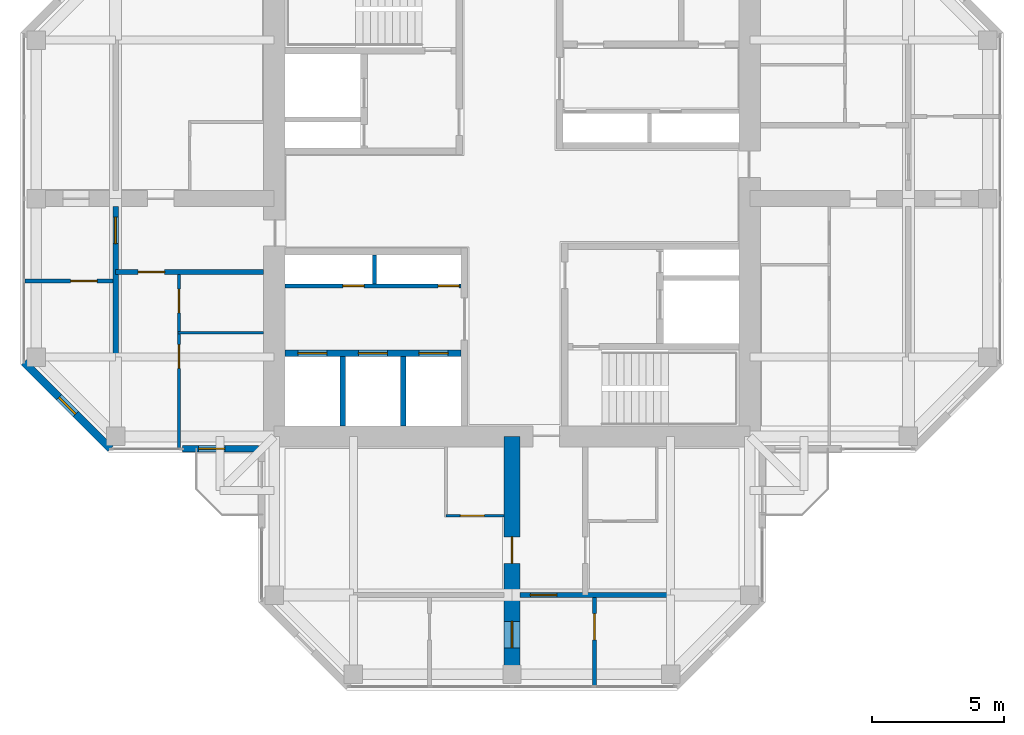
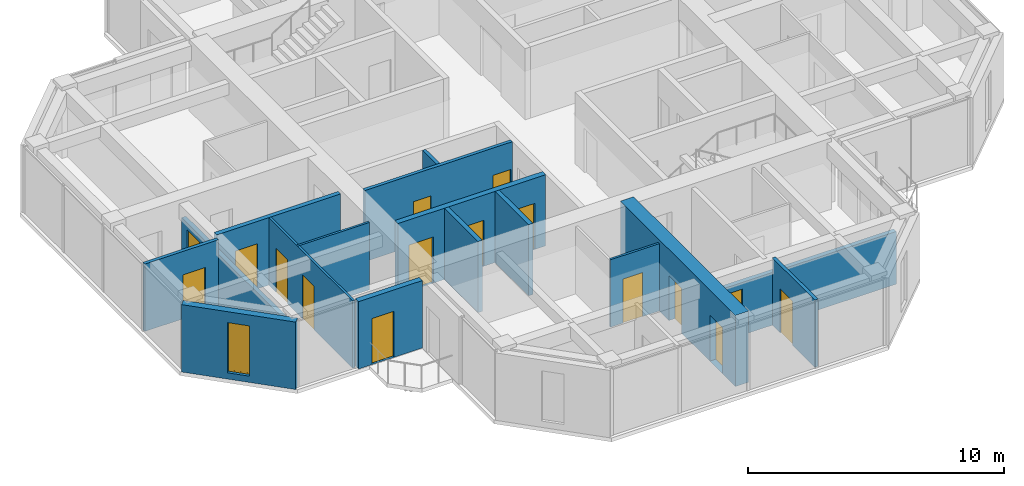
# One storey, part 8 of 13: 16 doors, 16 walls, 1 window, 17 openings.
"""IFC4 building model written with IfcOpenShell, lengths in metres."""

from ifc_helpers import new_model, si_unit, direction, frame, frame_2d, origin, place, context, subcontext, project, spatial, rectangle, hollow_rectangle, extrude, material, layer, layer_set, constituent, constituent_set, type_object, element, fill, save


model = new_model("IFC4")

# Units and contexts
model_context = context("Model", 3, precision=1e-05, world=origin(), true_north=direction((0.0, 1.0)))
body_context = subcontext(model_context, "Body", "Model", "MODEL_VIEW")
ifc_project = project(units=[si_unit("LENGTHUNIT", "METRE"), si_unit("AREAUNIT", "SQUARE_METRE"), si_unit("VOLUMEUNIT", "CUBIC_METRE"), si_unit("PLANEANGLEUNIT", "RADIAN"), si_unit("MASSUNIT", "GRAM", prefix="KILO")], contexts=[model_context])

# Site, building, storey
site_placement = place(None, origin())
site = spatial("IfcSite", under=ifc_project, at=site_placement, CompositionType="ELEMENT")
building_placement = place(site_placement, origin())
building = spatial("IfcBuilding", under=site, at=building_placement, Name="Torre Cruceta", CompositionType="ELEMENT")
storey_placement = place(building_placement, frame((0.0, 0.0, 278.10009765625)))
storey = spatial("IfcBuildingStorey", under=building, at=storey_placement, Name="L72", CompositionType="ELEMENT", Elevation=278.10009765625)

# Wall, opening, door
ifc_material_1 = material(Name="Water-resistant plasterboard on steel studs", Category="steel")
ifc_layer_1 = layer(ifc_material_1, 0.10009765625)
ifc_layer_set_1 = layer_set([ifc_layer_1], Name="Water-resistant plasterboard on steel studs")
wall_type_1 = type_object("IfcWallType", Name="BATHROOM WALL 100", PredefinedType="PARTITIONING", material=ifc_layer_set_1)
wall_1_placement = place(storey_placement, frame((-2.5, -12.0, 0.0), z_axis=(0.0, 0.0, 1.0), x_axis=(1.0, 0.0, 0.0)))
wall_1 = element("IfcWall", 1, at=wall_1_placement, inside=storey, type_object=wall_type_1, Name="PT4 L72-S-U1RBS", PredefinedType="PARTITIONING", context=body_context, shape_type="SweptSolid", body=[
    extrude(rectangle(XDim=2.199951171875, YDim=0.10009765625, at=frame_2d((1.10009765625, 0.0))), origin(), (0.0, 0.0, 1.0), 3.219970703125),
])
opening_1_placement = place(wall_1_placement, frame((0.550048828125, 0.0, 0.0)))
opening_1 = element("IfcOpeningElement", 2, at=opening_1_placement, cuts=wall_1, Name="Opening D7", PredefinedType="OPENING", context=body_context, shape_type="SweptSolid", body=[
    extrude(rectangle(XDim=0.89990234375, YDim=2.10009765625, at=frame_2d((0.449951171875, 1.050048828125))), frame((0.0, 0.06005859375, 0.0), z_axis=(0.0, -1.0, 0.0), x_axis=(1.0, 0.0, 0.0)), (0.0, 0.0, 1.0), 0.1201171875),
])
ifc_material_2 = material(Name="Timber door", Category="wood")
door_type_1 = type_object("IfcDoorType", Name="BATHROOM DOOR 900X2100", OperationType="SINGLE_SWING_LEFT", PredefinedType="DOOR", material=ifc_material_2)
door_1_placement = place(opening_1_placement, origin())
door_1 = element("IfcDoor", 3, at=door_1_placement, inside=storey, type_object=door_type_1, Name="D7 L72-S-U1RBS-D1", OperationType="SINGLE_SWING_LEFT", OverallHeight=2.10009765625, OverallWidth=0.89990234375, PredefinedType="DOOR", context=body_context, shape_type="SweptSolid", body=[
    extrude(rectangle(XDim=0.89990234375, YDim=2.10009765625, at=frame_2d((0.449951171875, 1.050048828125))), frame((0.0, 0.02490234375, 0.0), z_axis=(0.0, -1.0, 0.0), x_axis=(1.0, 0.0, 0.0)), (0.0, 0.0, 1.0), 0.050048828125),
])
fill(opening_1, door_1)

# Wall
wall_2_placement = place(storey_placement, frame((-9.39990234375, -5.074951171875, 0.0), z_axis=(0.0, 0.0, 1.0), x_axis=(-1.0, 0.0, 0.0)))
element("IfcWall", 4, at=wall_2_placement, inside=storey, type_object=wall_type_1, Name="PT4 L72-W-U1LBB", PredefinedType="PARTITIONING", context=body_context, shape_type="SweptSolid", body=[
    extrude(rectangle(XDim=3.25, YDim=0.10009765625, at=frame_2d((1.625, 0.0))), origin(), (0.0, 0.0, 1.0), 3.219970703125),
])

# Wall, openings, doors
wall_3_placement = place(storey_placement, frame((-12.60009765625, -2.875, 0.0), z_axis=(0.0, 0.0, 1.0), x_axis=(0.0, -1.0, 0.0)))
wall_3 = element("IfcWall", 5, at=wall_3_placement, inside=storey, type_object=wall_type_1, Name="PT4 L72-W-U1LBS", PredefinedType="PARTITIONING", context=body_context, shape_type="SweptSolid", body=[
    extrude(rectangle(XDim=6.554931640625, YDim=0.10009765625, at=frame_2d((3.27734375, 0.0))), origin(), (0.0, 0.0, 1.0), 3.219970703125),
])
opening_2_placement = place(wall_3_placement, frame((0.550048828125, 0.0, 0.0)))
opening_2 = element("IfcOpeningElement", 6, at=opening_2_placement, cuts=wall_3, Name="Opening D7", PredefinedType="OPENING", context=body_context, shape_type="SweptSolid", body=[
    extrude(rectangle(XDim=0.89990234375, YDim=2.10009765625, at=frame_2d((0.449951171875, 1.050048828125))), frame((0.0, 0.06005859375, 0.0), z_axis=(0.0, -1.0, 0.0), x_axis=(1.0, 0.0, 0.0)), (0.0, 0.0, 1.0), 0.1201171875),
])
opening_3_placement = place(wall_3_placement, frame((2.64990234375, 0.0, 0.0)))
opening_3 = element("IfcOpeningElement", 7, at=opening_3_placement, cuts=wall_3, Name="Opening D7", PredefinedType="OPENING", context=body_context, shape_type="SweptSolid", body=[
    extrude(rectangle(XDim=0.89990234375, YDim=2.10009765625, at=frame_2d((0.449951171875, 1.050048828125))), frame((0.0, 0.06005859375, 0.0), z_axis=(0.0, -1.0, 0.0), x_axis=(1.0, 0.0, 0.0)), (0.0, 0.0, 1.0), 0.1201171875),
])
door_2_placement = place(opening_2_placement, origin())
door_2 = element("IfcDoor", 8, at=door_2_placement, inside=storey, type_object=door_type_1, Name="D7 L72-W-U1LBS-D1", OperationType="SINGLE_SWING_LEFT", OverallHeight=2.10009765625, OverallWidth=0.89990234375, PredefinedType="DOOR", context=body_context, shape_type="SweptSolid", body=[
    extrude(rectangle(XDim=0.89990234375, YDim=2.10009765625, at=frame_2d((0.449951171875, 1.050048828125))), frame((0.0, 0.02490234375, 0.0), z_axis=(0.0, -1.0, 0.0), x_axis=(1.0, 0.0, 0.0)), (0.0, 0.0, 1.0), 0.050048828125),
])
fill(opening_2, door_2)
door_3_placement = place(opening_3_placement, origin())
door_3 = element("IfcDoor", 9, at=door_3_placement, inside=storey, type_object=door_type_1, Name="D7 L72-W-U1LBS-D2", OperationType="SINGLE_SWING_LEFT", OverallHeight=2.10009765625, OverallWidth=0.89990234375, PredefinedType="DOOR", context=body_context, shape_type="SweptSolid", body=[
    extrude(rectangle(XDim=0.89990234375, YDim=2.10009765625, at=frame_2d((0.449951171875, 1.050048828125))), frame((0.0, 0.02490234375, 0.0), z_axis=(0.0, -1.0, 0.0), x_axis=(1.0, 0.0, 0.0)), (0.0, 0.0, 1.0), 0.050048828125),
])
fill(opening_3, door_3)

ifc_material_3 = material(Name="Concrete G60 (fck 60 MPa)", Category="concrete")
ifc_layer_2 = layer(ifc_material_3, 0.25)
ifc_layer_set_2 = layer_set([ifc_layer_2], Name="Concrete G60 (fck 60 MPa)")
wall_type_2 = type_object("IfcWallType", Name="CORE INNER WALL 250 G60", PredefinedType="SHEAR", material=ifc_layer_set_2)
wall_4_placement = place(storey_placement, frame((-1.925048828125, -5.85009765625, 0.0), z_axis=(0.0, 0.0, 1.0), x_axis=(-1.0, 0.0, 0.0)))
wall_4 = element("IfcWall", 10, at=wall_4_placement, inside=storey, type_object=wall_type_2, Name="CW4 L72 SW-LV", PredefinedType="SHEAR", context=body_context, shape_type="SweptSolid", body=[
    extrude(rectangle(XDim=6.675048828125, YDim=0.25, at=frame_2d((3.33740234375, 0.0))), origin(), (0.0, 0.0, 1.0), 3.39990234375),
])
opening_4_placement = place(wall_4_placement, frame((0.495849609375, 0.0, 0.0)))
opening_4 = element("IfcOpeningElement", 11, at=opening_4_placement, cuts=wall_4, Name="Opening LD1", PredefinedType="OPENING", context=body_context, shape_type="SweptSolid", body=[
    extrude(rectangle(XDim=1.10009765625, YDim=2.199951171875, at=frame_2d((0.550048828125, 1.10009765625))), frame((0.0, 0.135009765625, 0.0), z_axis=(0.0, -1.0, 0.0), x_axis=(1.0, 0.0, 0.0)), (0.0, 0.0, 1.0), 0.27001953125),
])
opening_5_placement = place(wall_4_placement, frame((2.78759765625, 0.0, 0.0)))
opening_5 = element("IfcOpeningElement", 12, at=opening_5_placement, cuts=wall_4, Name="Opening LD1", PredefinedType="OPENING", context=body_context, shape_type="SweptSolid", body=[
    extrude(rectangle(XDim=1.10009765625, YDim=2.199951171875, at=frame_2d((0.550048828125, 1.10009765625))), frame((0.0, 0.135009765625, 0.0), z_axis=(0.0, -1.0, 0.0), x_axis=(1.0, 0.0, 0.0)), (0.0, 0.0, 1.0), 0.27001953125),
])
opening_6_placement = place(wall_4_placement, frame((5.0791015625, 0.0, 0.0)))
opening_6 = element("IfcOpeningElement", 13, at=opening_6_placement, cuts=wall_4, Name="Opening LD1", PredefinedType="OPENING", context=body_context, shape_type="SweptSolid", body=[
    extrude(rectangle(XDim=1.10009765625, YDim=2.199951171875, at=frame_2d((0.550048828125, 1.10009765625))), frame((0.0, 0.135009765625, 0.0), z_axis=(0.0, -1.0, 0.0), x_axis=(1.0, 0.0, 0.0)), (0.0, 0.0, 1.0), 0.27001953125),
])
ifc_material_4 = material(Name="Stainless steel 1.4401", Category="steel")
door_type_2 = type_object("IfcDoorType", Name="LIFT LANDING DOOR 1100X2200", OperationType="DOUBLE_DOOR_SLIDING", PredefinedType="DOOR", material=ifc_material_4)
door_4_placement = place(opening_4_placement, origin())
door_4 = element("IfcDoor", 14, at=door_4_placement, inside=storey, type_object=door_type_2, Name="Lift landing door R1", OperationType="DOUBLE_DOOR_SLIDING", OverallHeight=2.199951171875, OverallWidth=1.10009765625, PredefinedType="DOOR", context=body_context, shape_type="SweptSolid", body=[
    extrude(rectangle(XDim=1.10009765625, YDim=2.199951171875, at=frame_2d((0.550048828125, 1.10009765625))), frame((0.0, 0.02490234375, 0.0), z_axis=(0.0, -1.0, 0.0), x_axis=(1.0, 0.0, 0.0)), (0.0, 0.0, 1.0), 0.050048828125),
])
fill(opening_4, door_4)
door_5_placement = place(opening_5_placement, origin())
door_5 = element("IfcDoor", 15, at=door_5_placement, inside=storey, type_object=door_type_2, Name="Lift landing door R2", OperationType="DOUBLE_DOOR_SLIDING", OverallHeight=2.199951171875, OverallWidth=1.10009765625, PredefinedType="DOOR", context=body_context, shape_type="SweptSolid", body=[
    extrude(rectangle(XDim=1.10009765625, YDim=2.199951171875, at=frame_2d((0.550048828125, 1.10009765625))), frame((0.0, 0.02490234375, 0.0), z_axis=(0.0, -1.0, 0.0), x_axis=(1.0, 0.0, 0.0)), (0.0, 0.0, 1.0), 0.050048828125),
])
fill(opening_5, door_5)
door_6_placement = place(opening_6_placement, origin())
door_6 = element("IfcDoor", 16, at=door_6_placement, inside=storey, type_object=door_type_2, Name="Lift landing door R3", OperationType="DOUBLE_DOOR_SLIDING", OverallHeight=2.199951171875, OverallWidth=1.10009765625, PredefinedType="DOOR", context=body_context, shape_type="SweptSolid", body=[
    extrude(rectangle(XDim=1.10009765625, YDim=2.199951171875, at=frame_2d((0.550048828125, 1.10009765625))), frame((0.0, 0.02490234375, 0.0), z_axis=(0.0, -1.0, 0.0), x_axis=(1.0, 0.0, 0.0)), (0.0, 0.0, 1.0), 0.050048828125),
])
fill(opening_6, door_6)

# Wall, opening, door
ifc_material_5 = material(Name="Concrete G25 (fck 25 MPa)", Category="concrete")
ifc_layer_3 = layer(ifc_material_5, 0.199951171875)
ifc_layer_set_3 = layer_set([ifc_layer_3], Name="Concrete G25 (fck 25 MPa)")
wall_type_3 = type_object("IfcWallType", Name="CORRIDOR WALL 200", PredefinedType="SOLIDWALL", material=ifc_layer_set_3)
wall_5_placement = place(storey_placement, frame((-9.39990234375, -2.77490234375, 0.0), z_axis=(0.0, 0.0, 1.0), x_axis=(-1.0, 0.0, 0.0)))
wall_5 = element("IfcWall", 17, at=wall_5_placement, inside=storey, type_object=wall_type_3, Name="PT3 L72-W-CL", PredefinedType="SOLIDWALL", context=body_context, shape_type="SweptSolid", body=[
    extrude(rectangle(XDim=5.60009765625, YDim=0.199951171875, at=frame_2d((2.800048828125, 0.0))), origin(), (0.0, 0.0, 1.0), 3.219970703125),
])
opening_7_placement = place(wall_5_placement, frame((3.75, 0.0, 0.0)))
opening_7 = element("IfcOpeningElement", 18, at=opening_7_placement, cuts=wall_5, Name="Opening D6", PredefinedType="OPENING", context=body_context, shape_type="SweptSolid", body=[
    extrude(rectangle(XDim=1.0, YDim=2.14990234375, at=frame_2d((0.5, 1.074951171875))), frame((0.0, 0.10986328125, 0.0), z_axis=(0.0, -1.0, 0.0), x_axis=(1.0, 0.0, 0.0)), (0.0, 0.0, 1.0), 0.219970703125),
])
ifc_material_6 = material(Name="Timber fire door", Category="wood")
door_type_3 = type_object("IfcDoorType", Name="UNIT ENTRANCE DOOR 1000X2150", OperationType="SINGLE_SWING_LEFT", PredefinedType="DOOR", material=ifc_material_6)
door_7_placement = place(opening_7_placement, origin())
door_7 = element("IfcDoor", 19, at=door_7_placement, inside=storey, type_object=door_type_3, Name="D6 L72-W-CL-D1", OperationType="SINGLE_SWING_LEFT", OverallHeight=2.14990234375, OverallWidth=1.0, PredefinedType="DOOR", context=body_context, shape_type="SweptSolid", body=[
    extrude(rectangle(XDim=1.0, YDim=2.14990234375, at=frame_2d((0.5, 1.074951171875))), frame((0.0, 0.02490234375, 0.0), z_axis=(0.0, -1.0, 0.0), x_axis=(1.0, 0.0, 0.0)), (0.0, 0.0, 1.0), 0.050048828125),
])
fill(opening_7, door_7)

# Wall, opening, window
ifc_material_7 = material(Name="Concrete G30 (fck 30 MPa)", Category="concrete")
ifc_layer_4 = layer(ifc_material_7, 0.300048828125)
ifc_layer_set_4 = layer_set([ifc_layer_4], Name="Concrete G30 (fck 30 MPa)")
wall_type_4 = type_object("IfcWallType", Name="EXPOSED CONCRETE FACADE WALL 300", PredefinedType="SOLIDWALL", material=ifc_layer_set_4)
wall_6_placement = place(storey_placement, frame((-18.469970703125, -6.194580078125, 0.0), z_axis=(0.0, 0.0, 1.0), x_axis=(0.707106781187, -0.707106781187, 0.0)))
wall_6 = element("IfcWall", 20, at=wall_6_placement, inside=storey, type_object=wall_type_4, Name="EW1 facade wall L72 W chamfer 13", PredefinedType="SOLIDWALL", context=body_context, shape_type="SweptSolid", body=[
    extrude(rectangle(XDim=4.632080078125, YDim=0.300048828125, at=frame_2d((2.31591796875, 0.0))), origin(), (0.0, 0.0, 1.0), 3.219970703125),
])
opening_8_placement = place(wall_6_placement, frame((1.865966796875, 0.0, 0.300048828125)))
opening_8 = element("IfcOpeningElement", 21, at=opening_8_placement, cuts=wall_6, Name="Opening WN5", PredefinedType="OPENING", context=body_context, shape_type="SweptSolid", body=[
    extrude(rectangle(XDim=0.89990234375, YDim=2.39990234375, at=frame_2d((0.449951171875, 1.199951171875))), frame((0.0, 0.159912109375, 0.0), z_axis=(0.0, -1.0, 0.0), x_axis=(1.0, 0.0, 0.0)), (0.0, 0.0, 1.0), 0.320068359375),
])
ifc_material_8 = material(Name="Aluminium window frame", Category="aluminium")
ifc_constituent_1 = constituent(ifc_material_8, Name="Frame")
ifc_material_9 = material(Name="Laminated insulating glass unit, low-iron clear", Category="glass")
ifc_constituent_2 = constituent(ifc_material_9, Name="Glazing")
ifc_constituent_set_1 = constituent_set(constituents=[ifc_constituent_1, ifc_constituent_2], Name="Aluminium window")
window_type = type_object("IfcWindowType", Name="CHAMFER SLOT WINDOW 900X2400", PartitioningType="SINGLE_PANEL", PredefinedType="WINDOW", material=ifc_constituent_set_1)
window_placement = place(opening_8_placement, origin())
window = element("IfcWindow", 22, at=window_placement, inside=storey, type_object=window_type, Name="WN5 L72 W 1", OverallHeight=2.39990234375, OverallWidth=0.89990234375, PartitioningType="SINGLE_PANEL", PredefinedType="WINDOW", context=body_context, shape_type="SweptSolid", body=[
    extrude(hollow_rectangle(XDim=0.89990234375, YDim=2.39990234375, WallThickness=0.06005859375, at=frame_2d((0.449951171875, 1.199951171875))), frame((0.0, 0.030029296875, 0.0), z_axis=(0.0, -1.0, 0.0), x_axis=(1.0, 0.0, 0.0)), (0.0, 0.0, 1.0), 0.06005859375),
    extrude(rectangle(XDim=0.77880859375, YDim=2.27880859375, at=frame_2d((0.449951171875, 1.199951171875))), frame((0.0, 0.030029296875, 0.0), z_axis=(0.0, -1.0, 0.0), x_axis=(1.0, 0.0, 0.0)), (0.0, 0.0, 1.0), 0.06005859375),
])
fill(opening_8, window)

# Walls
ifc_material_10 = material(Name="Concrete G35 (fck 35 MPa)", Category="concrete")
ifc_layer_5 = layer(ifc_material_10, 0.199951171875)
ifc_layer_set_5 = layer_set([ifc_layer_5], Name="Concrete G35 (fck 35 MPa)")
wall_type_5 = type_object("IfcWallType", Name="LIFT SHAFT WALL 200", PredefinedType="PARTITIONING", material=ifc_layer_set_5)
for number, where, z_axis, x_axis, name in (
    (23, (-4.11669921875, -5.97509765625, 0.0), (0.0, 0.0, 1.0), (0.0, -1.0, 0.0), "SW1 L72 SW-LS1"),
    (24, (-6.408447265625, -5.97509765625, 0.0), (0.0, 0.0, 1.0), (0.0, -1.0, 0.0), "SW1 L72 SW-LS2"),
):
    element("IfcWall", number, at=place(storey_placement, frame(where, z_axis=z_axis, x_axis=x_axis)), inside=storey, type_object=wall_type_5, Name=name, PredefinedType="PARTITIONING", context=body_context, shape_type="SweptSolid", body=[
        extrude(rectangle(XDim=2.625, YDim=0.199951171875, at=frame_2d((1.3125, 0.0))), origin(), (0.0, 0.0, 1.0), 3.39990234375),
    ])

# Wall, opening, door
ifc_material_11 = material(Name="Plasterboard on steel studs", Category="steel")
ifc_layer_6 = layer(ifc_material_11, 0.14990234375)
ifc_layer_set_6 = layer_set([ifc_layer_6], Name="Plasterboard on steel studs")
wall_type_6 = type_object("IfcWallType", Name="PARTITION 150", PredefinedType="PARTITIONING", material=ifc_layer_set_6)
wall_7_placement = place(storey_placement, frame((3.117919921875, -15.10009765625, 0.0), z_axis=(0.0, 0.0, 1.0), x_axis=(0.0, -1.0, 0.0)))
wall_7 = element("IfcWall", 25, at=wall_7_placement, inside=storey, type_object=wall_type_6, Name="PT1 L72-S-ENDX", PredefinedType="PARTITIONING", context=body_context, shape_type="SweptSolid", body=[
    extrude(rectangle(XDim=3.329833984375, YDim=0.14990234375, at=frame_2d((1.6650390625, 0.0))), origin(), (0.0, 0.0, 1.0), 3.219970703125),
])
opening_9_placement = place(wall_7_placement, frame((0.60009765625, 0.0, 0.0)))
opening_9 = element("IfcOpeningElement", 26, at=opening_9_placement, cuts=wall_7, Name="Opening D3", PredefinedType="OPENING", context=body_context, shape_type="SweptSolid", body=[
    extrude(rectangle(XDim=1.0, YDim=2.10009765625, at=frame_2d((0.5, 1.050048828125))), frame((0.0, 0.0849609375, 0.0), z_axis=(0.0, -1.0, 0.0), x_axis=(1.0, 0.0, 0.0)), (0.0, 0.0, 1.0), 0.169921875),
])
ifc_material_12 = material(Name="Steel DX51D", Category="steel")
ifc_constituent_3 = constituent(ifc_material_12, Name="Leaf and frame")
ifc_material_13 = material(Name="Polyester powder coating", Category="paint")
ifc_constituent_4 = constituent(ifc_material_13, Name="Finish")
ifc_constituent_set_2 = constituent_set(constituents=[ifc_constituent_3, ifc_constituent_4], Name="Steel fire door")
door_type_4 = type_object("IfcDoorType", Name="FIRE DOOR 1000X2100", OperationType="SINGLE_SWING_LEFT", PredefinedType="DOOR", material=ifc_constituent_set_2)
door_8_placement = place(opening_9_placement, frame((1.0, 0.0, 0.0), z_axis=(0.0, 0.0, 1.0), x_axis=(-1.0, 0.0, 0.0)))
door_8 = element("IfcDoor", 27, at=door_8_placement, inside=storey, type_object=door_type_4, Name="D3 L72-S-ENDX-D1", OperationType="SINGLE_SWING_RIGHT", OverallHeight=2.10009765625, OverallWidth=1.0, PredefinedType="DOOR", context=body_context, shape_type="SweptSolid", body=[
    extrude(rectangle(XDim=1.0, YDim=2.10009765625, at=frame_2d((0.5, 1.050048828125))), frame((0.0, 0.025146484375, 0.0), z_axis=(0.0, -1.0, 0.0), x_axis=(1.0, 0.0, 0.0)), (0.0, 0.0, 1.0), 0.050048828125),
])
fill(opening_9, door_8)

wall_8_placement = place(storey_placement, frame((-15.10009765625, -3.117919921875, 0.0), z_axis=(0.0, 0.0, 1.0), x_axis=(-1.0, 0.0, 0.0)))
wall_8 = element("IfcWall", 28, at=wall_8_placement, inside=storey, type_object=wall_type_6, Name="PT1 L72-W-ENDX", PredefinedType="PARTITIONING", context=body_context, shape_type="SweptSolid", body=[
    extrude(rectangle(XDim=3.329833984375, YDim=0.14990234375, at=frame_2d((1.6650390625, 0.0))), origin(), (0.0, 0.0, 1.0), 3.219970703125),
])
opening_10_placement = place(wall_8_placement, frame((0.60009765625, 0.0, 0.0)))
opening_10 = element("IfcOpeningElement", 29, at=opening_10_placement, cuts=wall_8, Name="Opening D3", PredefinedType="OPENING", context=body_context, shape_type="SweptSolid", body=[
    extrude(rectangle(XDim=1.0, YDim=2.10009765625, at=frame_2d((0.5, 1.050048828125))), frame((0.0, 0.0849609375, 0.0), z_axis=(0.0, -1.0, 0.0), x_axis=(1.0, 0.0, 0.0)), (0.0, 0.0, 1.0), 0.169921875),
])
door_9_placement = place(opening_10_placement, frame((1.0, 0.0, 0.0), z_axis=(0.0, 0.0, 1.0), x_axis=(-1.0, 0.0, 0.0)))
door_9 = element("IfcDoor", 30, at=door_9_placement, inside=storey, type_object=door_type_4, Name="D3 L72-W-ENDX-D1", OperationType="SINGLE_SWING_RIGHT", OverallHeight=2.10009765625, OverallWidth=1.0, PredefinedType="DOOR", context=body_context, shape_type="SweptSolid", body=[
    extrude(rectangle(XDim=1.0, YDim=2.10009765625, at=frame_2d((0.5, 1.050048828125))), frame((0.0, 0.025146484375, 0.0), z_axis=(0.0, -1.0, 0.0), x_axis=(1.0, 0.0, 0.0)), (0.0, 0.0, 1.0), 0.050048828125),
])
fill(opening_10, door_9)

# Wall, openings, doors
ifc_material_14 = material(Name="Concrete block masonry", Category="masonry")
ifc_layer_7 = layer(ifc_material_14, 0.14990234375)
ifc_layer_set_7 = layer_set([ifc_layer_7], Name="Concrete block masonry")
wall_type_7 = type_object("IfcWallType", Name="RISER WALL 150", PredefinedType="PARTITIONING", material=ifc_layer_set_7)
wall_9_placement = place(storey_placement, frame((-1.925048828125, -3.300048828125, 0.0), z_axis=(0.0, 0.0, 1.0), x_axis=(-1.0, 0.0, 0.0)))
wall_9 = element("IfcWall", 31, at=wall_9_placement, inside=storey, type_object=wall_type_7, Name="SW7 L72 SW-RV", PredefinedType="PARTITIONING", context=body_context, shape_type="SweptSolid", body=[
    extrude(rectangle(XDim=6.675048828125, YDim=0.14990234375, at=frame_2d((3.33740234375, 0.0))), origin(), (0.0, 0.0, 1.0), 3.39990234375),
])
opening_11_placement = place(wall_9_placement, frame((0.074951171875, 0.0, 0.0)))
opening_11 = element("IfcOpeningElement", 32, at=opening_11_placement, cuts=wall_9, Name="Opening D5", PredefinedType="OPENING", context=body_context, shape_type="SweptSolid", body=[
    extrude(rectangle(XDim=0.800048828125, YDim=2.10009765625, at=frame_2d((0.39990234375, 1.050048828125))), frame((0.0, 0.0849609375, 0.0), z_axis=(0.0, -1.0, 0.0), x_axis=(1.0, 0.0, 0.0)), (0.0, 0.0, 1.0), 0.169921875),
])
opening_12_placement = place(wall_9_placement, frame((3.675048828125, 0.0, 0.0)))
opening_12 = element("IfcOpeningElement", 33, at=opening_12_placement, cuts=wall_9, Name="Opening D5", PredefinedType="OPENING", context=body_context, shape_type="SweptSolid", body=[
    extrude(rectangle(XDim=0.800048828125, YDim=2.10009765625, at=frame_2d((0.39990234375, 1.050048828125))), frame((0.0, 0.0849609375, 0.0), z_axis=(0.0, -1.0, 0.0), x_axis=(1.0, 0.0, 0.0)), (0.0, 0.0, 1.0), 0.169921875),
])
ifc_material_15 = material(Name="Steel DX51D", Category="steel")
ifc_constituent_5 = constituent(ifc_material_15, Name="Leaf and frame")
ifc_material_16 = material(Name="Polyester powder coating", Category="paint")
ifc_constituent_6 = constituent(ifc_material_16, Name="Finish")
ifc_constituent_set_3 = constituent_set(constituents=[ifc_constituent_5, ifc_constituent_6], Name="Steel fire door")
door_type_5 = type_object("IfcDoorType", Name="RISER ACCESS DOOR 800X2100", OperationType="SINGLE_SWING_LEFT", PredefinedType="DOOR", material=ifc_constituent_set_3)
door_10_placement = place(opening_11_placement, frame((0.800048828125, 0.0, 0.0), z_axis=(0.0, 0.0, 1.0), x_axis=(-1.0, 0.0, 0.0)))
door_10 = element("IfcDoor", 34, at=door_10_placement, inside=storey, type_object=door_type_5, Name="D5 L72 SW-RISER1", OperationType="SINGLE_SWING_RIGHT", OverallHeight=2.10009765625, OverallWidth=0.800048828125, PredefinedType="DOOR", context=body_context, shape_type="SweptSolid", body=[
    extrude(rectangle(XDim=0.800048828125, YDim=2.10009765625, at=frame_2d((0.400146484375, 1.050048828125))), frame((0.0, 0.025146484375, 0.0), z_axis=(0.0, -1.0, 0.0), x_axis=(1.0, 0.0, 0.0)), (0.0, 0.0, 1.0), 0.050048828125),
])
fill(opening_11, door_10)
door_11_placement = place(opening_12_placement, frame((0.800048828125, 0.0, 0.0), z_axis=(0.0, 0.0, 1.0), x_axis=(-1.0, 0.0, 0.0)))
door_11 = element("IfcDoor", 35, at=door_11_placement, inside=storey, type_object=door_type_5, Name="D5 L72 SW-RISER2", OperationType="SINGLE_SWING_RIGHT", OverallHeight=2.10009765625, OverallWidth=0.800048828125, PredefinedType="DOOR", context=body_context, shape_type="SweptSolid", body=[
    extrude(rectangle(XDim=0.800048828125, YDim=2.10009765625, at=frame_2d((0.400146484375, 1.050048828125))), frame((0.0, 0.025146484375, 0.0), z_axis=(0.0, -1.0, 0.0), x_axis=(1.0, 0.0, 0.0)), (0.0, 0.0, 1.0), 0.050048828125),
])
fill(opening_12, door_11)

# Wall
wall_10_placement = place(storey_placement, frame((-5.199951171875, -2.125, 0.0), z_axis=(0.0, 0.0, 1.0), x_axis=(0.0, -1.0, 0.0)))
element("IfcWall", 36, at=wall_10_placement, inside=storey, type_object=wall_type_7, Name="SW7 L72 SW-RU", PredefinedType="PARTITIONING", context=body_context, shape_type="SweptSolid", body=[
    extrude(rectangle(XDim=1.10009765625, YDim=0.14990234375, at=frame_2d((0.550048828125, 0.0))), origin(), (0.0, 0.0, 1.0), 3.39990234375),
])

# Wall, openings, doors
ifc_material_17 = material(Name="Concrete G60 (fck 60 MPa)", Category="concrete")
ifc_layer_8 = layer(ifc_material_17, 0.60009765625)
ifc_layer_set_8 = layer_set([ifc_layer_8], Name="Concrete G60 (fck 60 MPa)")
wall_type_8 = type_object("IfcWallType", Name="SPINE WALL 600 G60", PredefinedType="SHEAR", material=ifc_layer_set_8)
wall_11_placement = place(storey_placement, frame((0.0, -9.0, 0.0), z_axis=(0.0, 0.0, 1.0), x_axis=(0.0, -1.0, 0.0)))
wall_11 = element("IfcWall", 37, at=wall_11_placement, inside=storey, type_object=wall_type_8, Name="SW5 spine wall L72 S", PredefinedType="SHEAR", context=body_context, shape_type="SweptSolid", body=[
    extrude(rectangle(XDim=9.0, YDim=0.60009765625, at=frame_2d((4.5, 0.0))), origin(), (0.0, 0.0, 1.0), 3.39990234375),
])
opening_13_placement = place(wall_11_placement, frame((3.800048828125, 0.0, 0.0)))
opening_13 = element("IfcOpeningElement", 38, at=opening_13_placement, cuts=wall_11, Name="Opening D6", PredefinedType="OPENING", context=body_context, shape_type="SweptSolid", body=[
    extrude(rectangle(XDim=1.0, YDim=2.14990234375, at=frame_2d((0.5, 1.074951171875))), frame((0.0, 0.31005859375, 0.0), z_axis=(0.0, -1.0, 0.0), x_axis=(1.0, 0.0, 0.0)), (0.0, 0.0, 1.0), 0.6201171875),
])
opening_14_placement = place(wall_11_placement, frame((7.0, 0.0, 0.0)))
opening_14 = element("IfcOpeningElement", 39, at=opening_14_placement, cuts=wall_11, Name="Opening D14", PredefinedType="OPENING", context=body_context, shape_type="SweptSolid", body=[
    extrude(rectangle(XDim=1.0, YDim=2.199951171875, at=frame_2d((0.5, 1.10009765625))), frame((0.0, 0.31005859375, 0.0), z_axis=(0.0, -1.0, 0.0), x_axis=(1.0, 0.0, 0.0)), (0.0, 0.0, 1.0), 0.6201171875),
])
ifc_material_18 = material(Name="Steel DX51D", Category="steel")
ifc_constituent_7 = constituent(ifc_material_18, Name="Leaf and frame")
ifc_material_19 = material(Name="Polyester powder coating", Category="paint")
ifc_constituent_8 = constituent(ifc_material_19, Name="Finish")
ifc_material_20 = material(Name="Fire-resisting glass", Category="glass")
ifc_constituent_9 = constituent(ifc_material_20, Name="Vision panel")
ifc_constituent_set_4 = constituent_set(constituents=[ifc_constituent_7, ifc_constituent_8, ifc_constituent_9], Name="Steel fire door with vision panel")
door_type_6 = type_object("IfcDoorType", Name="FIRE DOOR VISION PANEL 1000X2200", OperationType="SINGLE_SWING_RIGHT", PredefinedType="DOOR", material=ifc_constituent_set_4)
door_12_placement = place(opening_14_placement, origin())
door_12 = element("IfcDoor", 40, at=door_12_placement, inside=storey, type_object=door_type_6, Name="D14 L72-S-SP2", OperationType="SINGLE_SWING_LEFT", OverallHeight=2.199951171875, OverallWidth=1.0, PredefinedType="DOOR", context=body_context, shape_type="SweptSolid", body=[
    extrude(rectangle(XDim=1.0, YDim=2.199951171875, at=frame_2d((0.5, 1.10009765625))), frame((0.0, 0.02490234375, 0.0), z_axis=(0.0, -1.0, 0.0), x_axis=(1.0, 0.0, 0.0)), (0.0, 0.0, 1.0), 0.050048828125),
])
fill(opening_14, door_12)
door_13_placement = place(opening_13_placement, frame((1.0, 0.0, 0.0), z_axis=(0.0, 0.0, 1.0), x_axis=(-1.0, 0.0, 0.0)))
door_13 = element("IfcDoor", 41, at=door_13_placement, inside=storey, type_object=door_type_3, Name="D6 L72-S-SP1", OperationType="SINGLE_SWING_RIGHT", OverallHeight=2.14990234375, OverallWidth=1.0, PredefinedType="DOOR", context=body_context, shape_type="SweptSolid", body=[
    extrude(rectangle(XDim=1.0, YDim=2.14990234375, at=frame_2d((0.5, 1.074951171875))), frame((0.0, 0.025146484375, 0.0), z_axis=(0.0, -1.0, 0.0), x_axis=(1.0, 0.0, 0.0)), (0.0, 0.0, 1.0), 0.050048828125),
])
fill(opening_13, door_13)

# Wall, opening, door
ifc_material_21 = material(Name="Concrete G25 (fck 25 MPa)", Category="concrete")
ifc_layer_9 = layer(ifc_material_21, 0.199951171875)
ifc_layer_set_9 = layer_set([ifc_layer_9], Name="Concrete G25 (fck 25 MPa)")
wall_type_9 = type_object("IfcWallType", Name="UNIT SEPARATING WALL 200", PredefinedType="SOLIDWALL", material=ifc_layer_set_9)
wall_12_placement = place(storey_placement, frame((0.300048828125, -15.0, 0.0), z_axis=(0.0, 0.0, 1.0), x_axis=(1.0, 0.0, 0.0)))
wall_12 = element("IfcWall", 42, at=wall_12_placement, inside=storey, type_object=wall_type_9, Name="PT2 L72-S-ENDb", PredefinedType="SOLIDWALL", context=body_context, shape_type="SweptSolid", body=[
    extrude(rectangle(XDim=8.349853515625, YDim=0.199951171875, at=frame_2d((4.1748046875, 0.0))), origin(), (0.0, 0.0, 1.0), 2.52001953125),
])
opening_15_placement = place(wall_12_placement, frame((0.39990234375, 0.0, 0.0)))
opening_15 = element("IfcOpeningElement", 43, at=opening_15_placement, cuts=wall_12, Name="Opening D14", PredefinedType="OPENING", context=body_context, shape_type="SweptSolid", body=[
    extrude(rectangle(XDim=1.0, YDim=2.199951171875, at=frame_2d((0.5, 1.10009765625))), frame((0.0, 0.10986328125, 0.0), z_axis=(0.0, -1.0, 0.0), x_axis=(1.0, 0.0, 0.0)), (0.0, 0.0, 1.0), 0.219970703125),
])
door_14_placement = place(opening_15_placement, frame((1.0, 0.0, 0.0), z_axis=(0.0, 0.0, 1.0), x_axis=(-1.0, 0.0, 0.0)))
door_14 = element("IfcDoor", 44, at=door_14_placement, inside=storey, type_object=door_type_6, Name="D14 L72-S-ENDb-D1", OperationType="SINGLE_SWING_LEFT", OverallHeight=2.199951171875, OverallWidth=1.0, PredefinedType="DOOR", context=body_context, shape_type="SweptSolid", body=[
    extrude(rectangle(XDim=1.0, YDim=2.199951171875, at=frame_2d((0.5, 1.10009765625))), frame((0.0, 0.025146484375, 0.0), z_axis=(0.0, -1.0, 0.0), x_axis=(1.0, 0.0, 0.0)), (0.0, 0.0, 1.0), 0.050048828125),
])
fill(opening_15, door_14)

wall_13_placement = place(storey_placement, frame((-15.0, -0.300048828125, 0.0), z_axis=(0.0, 0.0, 1.0), x_axis=(0.0, -1.0, 0.0)))
wall_13 = element("IfcWall", 45, at=wall_13_placement, inside=storey, type_object=wall_type_9, Name="PT2 L72-W-ENDb", PredefinedType="SOLIDWALL", context=body_context, shape_type="SweptSolid", body=[
    extrude(rectangle(XDim=8.349853515625, YDim=0.199951171875, at=frame_2d((4.1748046875, 0.0))), origin(), (0.0, 0.0, 1.0), 2.52001953125),
])
opening_16_placement = place(wall_13_placement, frame((0.39990234375, 0.0, 0.0)))
opening_16 = element("IfcOpeningElement", 46, at=opening_16_placement, cuts=wall_13, Name="Opening D14", PredefinedType="OPENING", context=body_context, shape_type="SweptSolid", body=[
    extrude(rectangle(XDim=1.0, YDim=2.199951171875, at=frame_2d((0.5, 1.10009765625))), frame((0.0, 0.10986328125, 0.0), z_axis=(0.0, -1.0, 0.0), x_axis=(1.0, 0.0, 0.0)), (0.0, 0.0, 1.0), 0.219970703125),
])
door_15_placement = place(opening_16_placement, frame((1.0, 0.0, 0.0), z_axis=(0.0, 0.0, 1.0), x_axis=(-1.0, 0.0, 0.0)))
door_15 = element("IfcDoor", 47, at=door_15_placement, inside=storey, type_object=door_type_6, Name="D14 L72-W-ENDb-D1", OperationType="SINGLE_SWING_LEFT", OverallHeight=2.199951171875, OverallWidth=1.0, PredefinedType="DOOR", context=body_context, shape_type="SweptSolid", body=[
    extrude(rectangle(XDim=1.0, YDim=2.199951171875, at=frame_2d((0.5, 1.10009765625))), frame((0.0, 0.025146484375, 0.0), z_axis=(0.0, -1.0, 0.0), x_axis=(1.0, 0.0, 0.0)), (0.0, 0.0, 1.0), 0.050048828125),
])
fill(opening_16, door_15)

ifc_material_22 = material(Name="Concrete G30 (fck 30 MPa)", Category="concrete")
ifc_layer_10 = layer(ifc_material_22, 0.25)
ifc_layer_set_10 = layer_set([ifc_layer_10], Name="Concrete G30 (fck 30 MPa)")
wall_type_10 = type_object("IfcWallType", Name="WINTER GARDEN WALL 250", PredefinedType="SOLIDWALL", material=ifc_layer_set_10)
wall_14_placement = place(storey_placement, frame((-12.469970703125, -9.469970703125, 0.0), z_axis=(0.0, 0.0, 1.0), x_axis=(1.0, 0.0, 0.0)))
wall_14 = element("IfcWall", 48, at=wall_14_placement, inside=storey, type_object=wall_type_10, Name="EW2 winter garden wall L72 14", PredefinedType="SOLIDWALL", context=body_context, shape_type="SweptSolid", body=[
    extrude(rectangle(XDim=2.875, YDim=0.25, at=frame_2d((1.4375, 0.0))), origin(), (0.0, 0.0, 1.0), 3.219970703125),
])
opening_17_placement = place(wall_14_placement, frame((0.60009765625, 0.0, 0.0)))
opening_17 = element("IfcOpeningElement", 49, at=opening_17_placement, cuts=wall_14, Name="Opening D10", PredefinedType="OPENING", context=body_context, shape_type="SweptSolid", body=[
    extrude(rectangle(XDim=1.0, YDim=2.199951171875, at=frame_2d((0.5, 1.10009765625))), frame((0.0, 0.135009765625, 0.0), z_axis=(0.0, -1.0, 0.0), x_axis=(1.0, 0.0, 0.0)), (0.0, 0.0, 1.0), 0.27001953125),
])
ifc_material_23 = material(Name="Aluminium door frame", Category="aluminium")
ifc_constituent_10 = constituent(ifc_material_23, Name="Frame")
ifc_material_24 = material(Name="Laminated safety glass", Category="glass")
ifc_constituent_11 = constituent(ifc_material_24, Name="Glazing")
ifc_constituent_set_5 = constituent_set(constituents=[ifc_constituent_10, ifc_constituent_11], Name="Aluminium glazed door")
door_type_7 = type_object("IfcDoorType", Name="BALCONY DOOR 1000X2200", OperationType="SINGLE_SWING_RIGHT", PredefinedType="DOOR", material=ifc_constituent_set_5)
door_16_placement = place(opening_17_placement, origin())
door_16 = element("IfcDoor", 50, at=door_16_placement, inside=storey, type_object=door_type_7, Name="D10 balcony door L72 14", OperationType="SINGLE_SWING_LEFT", OverallHeight=2.199951171875, OverallWidth=1.0, PredefinedType="DOOR", context=body_context, shape_type="SweptSolid", body=[
    extrude(hollow_rectangle(XDim=1.0, YDim=2.199951171875, WallThickness=0.06005859375, at=frame_2d((0.5, 1.10009765625))), frame((0.0, 0.02490234375, 0.0), z_axis=(0.0, -1.0, 0.0), x_axis=(1.0, 0.0, 0.0)), (0.0, 0.0, 1.0), 0.050048828125),
    extrude(rectangle(XDim=0.87890625, YDim=2.078857421875, at=frame_2d((0.5, 1.10009765625))), frame((0.0, 0.02490234375, 0.0), z_axis=(0.0, -1.0, 0.0), x_axis=(1.0, 0.0, 0.0)), (0.0, 0.0, 1.0), 0.050048828125),
])
fill(opening_17, door_16)

save(model, "model.ifc")
